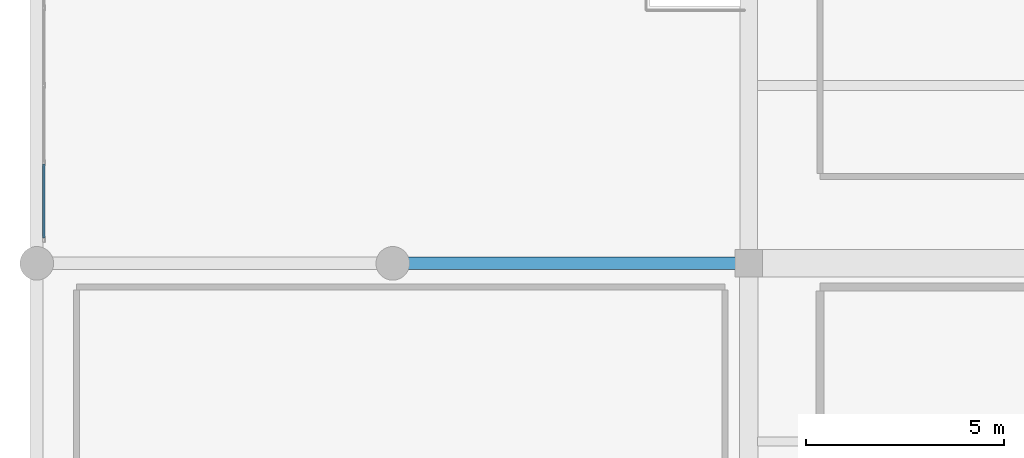
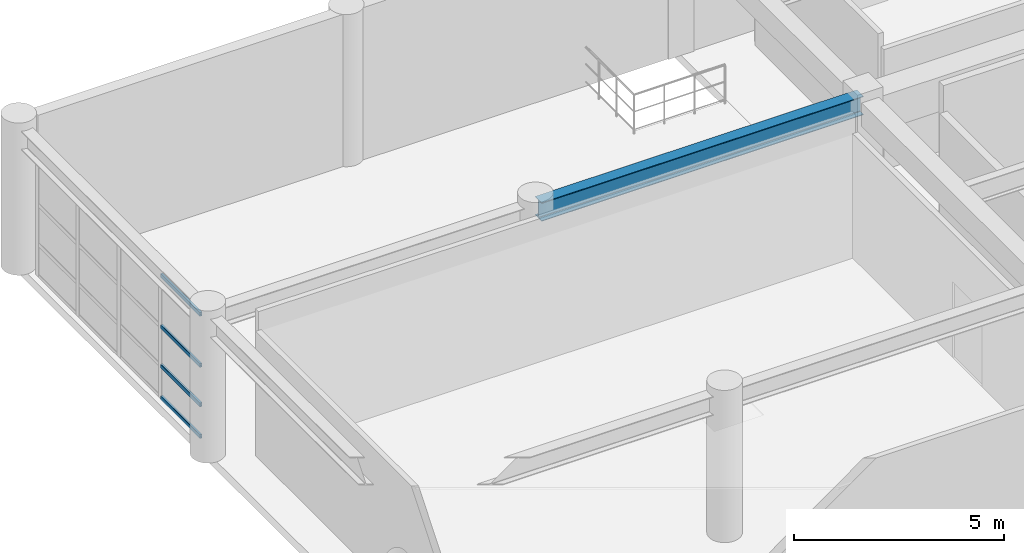
# One storey, part 62 of 133: 4 members, 1 beam, 1 element without a shape of its own.
"""IFC4 building model written with IfcOpenShell, lengths in metres."""

from ifc_helpers import new_model, si_unit, direction, frame, origin, origin_2d, place, context, subcontext, project, spatial, hollow_rectangle, i_section, extrude, material, material_profile, profile_set, type_object, element, aggregate, save


model = new_model("IFC4")

# Units and contexts
model_context = context("Model", 3, precision=1e-05, world=origin(), true_north=direction((0.0, 1.0)))
body_context = subcontext(model_context, "Body", "Model", "MODEL_VIEW")
ifc_project = project(units=[si_unit("LENGTHUNIT", "METRE"), si_unit("AREAUNIT", "SQUARE_METRE"), si_unit("VOLUMEUNIT", "CUBIC_METRE"), si_unit("PLANEANGLEUNIT", "RADIAN"), si_unit("MASSUNIT", "GRAM", prefix="KILO")], contexts=[model_context])

# Site, building, storey
site_placement = place(None, origin())
site = spatial("IfcSite", under=ifc_project, at=site_placement, CompositionType="ELEMENT")
building_placement = place(site_placement, origin())
building = spatial("IfcBuilding", under=site, at=building_placement, Name="Miravela Opera House", CompositionType="ELEMENT")
storey_placement = place(building_placement, frame((0.0, 0.0, 5.10009765625)))
storey = spatial("IfcBuildingStorey", under=building, at=storey_placement, Name="L01", CompositionType="ELEMENT", Elevation=5.10009765625)

# Curtain wall, members
ifc_material_1 = material(Name="Anodised architectural bronze aluminium 6063-T6", Category="aluminium")
curtain_wall_type = type_object("IfcCurtainWallType", Name="ARC-CW-07", PredefinedType="NOTDEFINED", material=ifc_material_1)
curtain_wall_placement = place(storey_placement, origin())
curtain_wall = element("IfcCurtainWall", 1, at=curtain_wall_placement, inside=storey, type_object=curtain_wall_type, Name="Courtyard Arcade Curtain Wall CW-L01-200", PredefinedType="NOTDEFINED")
ifc_material_profile_1 = material_profile(ifc_material_1, hollow_rectangle(XDim=0.06005859375, YDim=0.114990234375, WallThickness=0.00390625, InnerFilletRadius=0.001953125, OuterFilletRadius=0.00390625, at=origin_2d()), Name="CWT-60X115")
ifc_profile_set_1 = profile_set([ifc_material_profile_1])
member_type = type_object("IfcMemberType", Name="ARC-CWT-115", PredefinedType="USERDEFINED", material=ifc_profile_set_1)
member_1_placement = place(storey_placement, frame((0.179931640625, 103.639892578125, 0.02978515625), z_axis=(0.0, 1.0, 0.0), x_axis=(-1.0, 0.0, 0.0)))
member_1 = element("IfcMember", 2, at=member_1_placement, type_object=member_type, Name="CW-07 transom 1.1", ObjectType="TRANSOM", PredefinedType="USERDEFINED", context=body_context, shape_type="SweptSolid", body=[
    extrude(hollow_rectangle(XDim=0.06005859375, YDim=0.114990234375, WallThickness=0.00390625, InnerFilletRadius=0.001953125, OuterFilletRadius=0.00390625, at=origin_2d()), origin(), (0.0, 0.0, 1.0), 1.8701171875),
])
member_2_placement = place(storey_placement, frame((0.179931640625, 103.639892578125, 0.949951171875), z_axis=(0.0, 1.0, 0.0), x_axis=(-1.0, 0.0, 0.0)))
member_2 = element("IfcMember", 3, at=member_2_placement, type_object=member_type, Name="CW-07 transom 1.2", ObjectType="TRANSOM", PredefinedType="USERDEFINED", context=body_context, shape_type="SweptSolid", body=[
    extrude(hollow_rectangle(XDim=0.06005859375, YDim=0.114990234375, WallThickness=0.00390625, InnerFilletRadius=0.001953125, OuterFilletRadius=0.00390625, at=origin_2d()), origin(), (0.0, 0.0, 1.0), 1.8701171875),
])
member_3_placement = place(storey_placement, frame((0.179931640625, 103.639892578125, 2.09375), z_axis=(0.0, 1.0, 0.0), x_axis=(-1.0, 0.0, 0.0)))
member_3 = element("IfcMember", 4, at=member_3_placement, type_object=member_type, Name="CW-07 transom 1.3", ObjectType="TRANSOM", PredefinedType="USERDEFINED", context=body_context, shape_type="SweptSolid", body=[
    extrude(hollow_rectangle(XDim=0.06005859375, YDim=0.114990234375, WallThickness=0.00390625, InnerFilletRadius=0.001953125, OuterFilletRadius=0.00390625, at=origin_2d()), origin(), (0.0, 0.0, 1.0), 1.8701171875),
])
member_4_placement = place(storey_placement, frame((0.179931640625, 103.639892578125, 3.579833984375), z_axis=(0.0, 1.0, 0.0), x_axis=(-1.0, 0.0, 0.0)))
member_4 = element("IfcMember", 5, at=member_4_placement, type_object=member_type, Name="CW-07 transom 1.4", ObjectType="TRANSOM", PredefinedType="USERDEFINED", context=body_context, shape_type="SweptSolid", body=[
    extrude(hollow_rectangle(XDim=0.06005859375, YDim=0.114990234375, WallThickness=0.00390625, InnerFilletRadius=0.001953125, OuterFilletRadius=0.00390625, at=origin_2d()), origin(), (0.0, 0.0, 1.0), 1.8701171875),
])
aggregate(curtain_wall, [member_1, member_2, member_3, member_4])

# Beam
ifc_material_2 = material(Name="Structural steel ASTM A992 Gr. 50", Category="steel")
ifc_material_profile_2 = material_profile(ifc_material_2, i_section(OverallWidth=0.31201171875, OverallDepth=0.54296875, WebThickness=0.0126953125, FlangeThickness=0.020263671875, FilletRadius=0.01611328125, at=origin_2d()), Name="W530X150")
ifc_profile_set_2 = profile_set([ifc_material_profile_2])
beam_type = type_object("IfcBeamType", Name="STR-BM-W530X150", PredefinedType="BEAM", material=ifc_profile_set_2)
beam_placement = place(storey_placement, frame((9.080078125, 103.0, 3.908447265625), z_axis=(1.0, 0.0, 0.0), x_axis=(0.0, 1.0, 0.0)))
element("IfcBeam", 6, at=beam_placement, inside=storey, type_object=beam_type, Name="Roof King-Post Transverse Tie Girder ROOF-V5-NORTH T2.2", PredefinedType="BEAM", context=body_context, shape_type="SweptSolid", body=[
    extrude(i_section(OverallWidth=0.31201171875, OverallDepth=0.54296875, WebThickness=0.0126953125, FlangeThickness=0.020263671875, FilletRadius=0.01611328125, at=origin_2d()), origin(), (0.0, 0.0, 1.0), 8.83984375),
])

save(model, "model.ifc")
